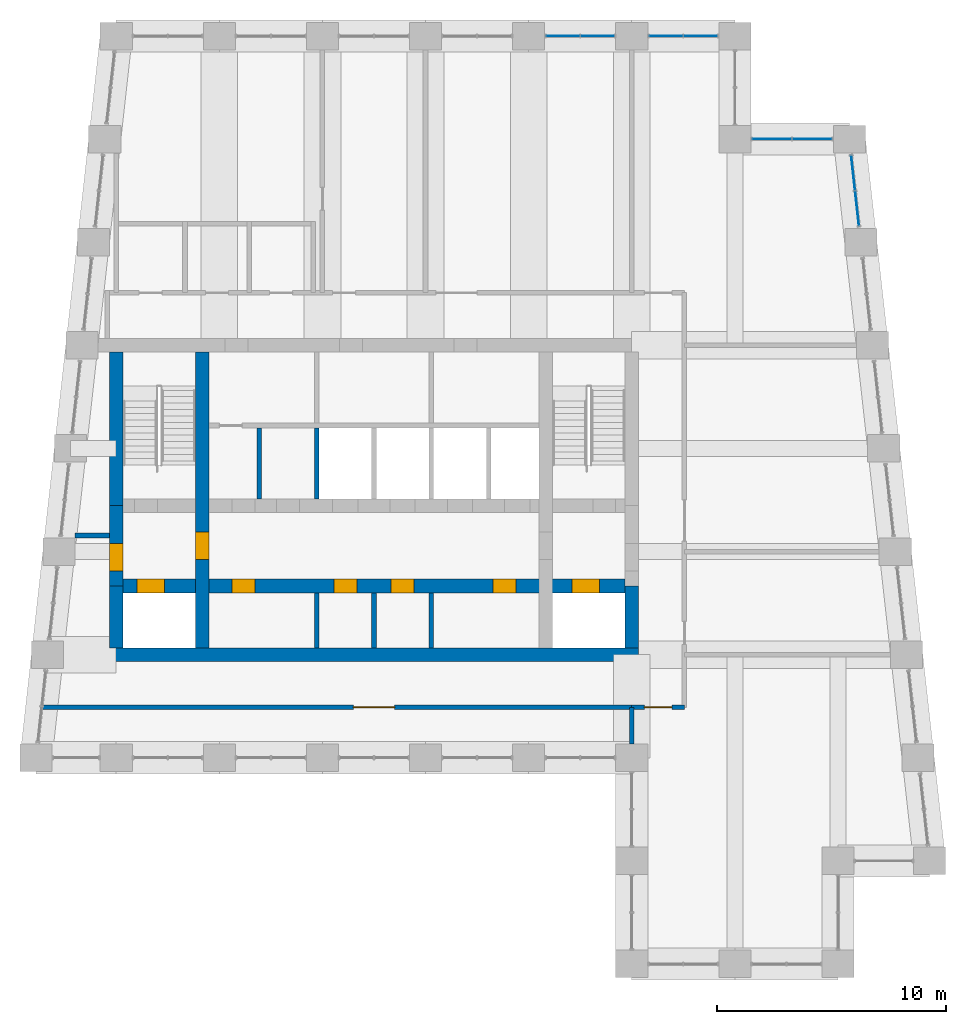
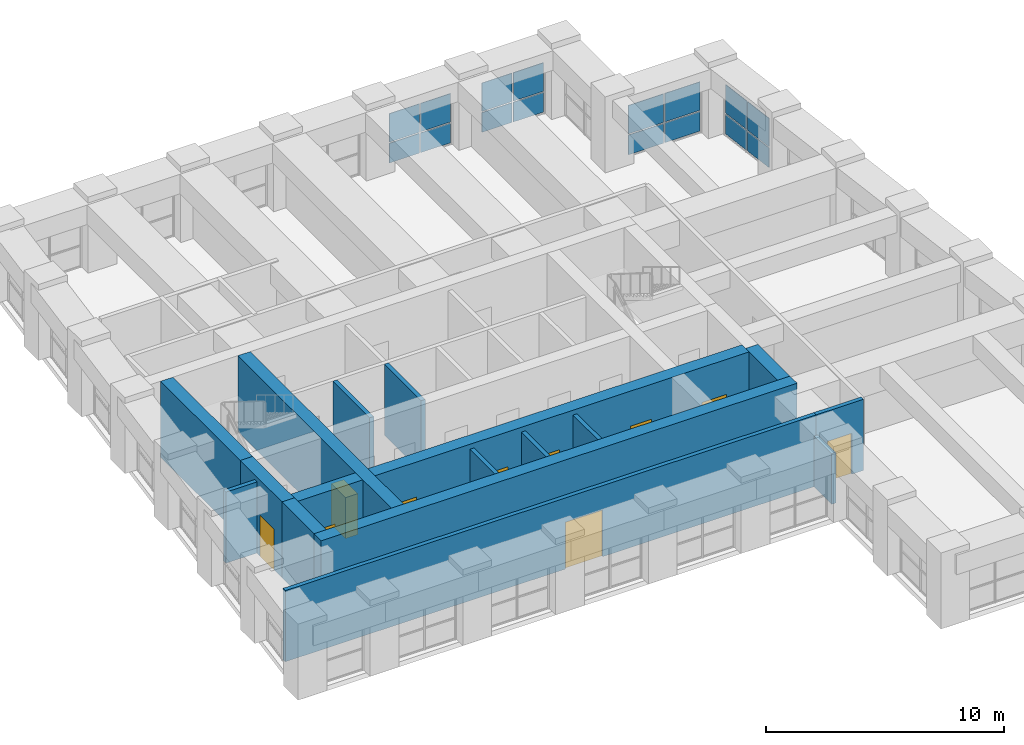
# One storey, part 12 of 15: 16 plates, 16 walls, 10 doors, 10 openings, 4 elements without a shape of their own.
"""IFC4 building model written with IfcOpenShell, lengths in metres."""

from ifc_helpers import new_model, si_unit, direction, frame, frame_2d, origin, origin_2d, place, context, subcontext, project, spatial, rectangle, extrude, material, layer, layer_set, type_object, element, fill, aggregate, save


model = new_model("IFC4")

# Units and contexts
model_context = context("Model", 3, precision=1e-05, world=origin(), true_north=direction((0.0, 1.0)))
body_context = subcontext(model_context, "Body", "Model", "MODEL_VIEW")
ifc_project = project(units=[si_unit("LENGTHUNIT", "METRE"), si_unit("AREAUNIT", "SQUARE_METRE"), si_unit("VOLUMEUNIT", "CUBIC_METRE"), si_unit("PLANEANGLEUNIT", "RADIAN"), si_unit("MASSUNIT", "GRAM", prefix="KILO")], contexts=[model_context])

# Site, building, storey
site_placement = place(None, origin())
site = spatial("IfcSite", under=ifc_project, at=site_placement, CompositionType="ELEMENT")
building_placement = place(site_placement, origin())
building = spatial("IfcBuilding", under=site, at=building_placement, Name="Kilele Tower Hotel", CompositionType="ELEMENT")
storey_placement = place(building_placement, frame((0.0, 0.0, 285.800048828125)))
storey = spatial("IfcBuildingStorey", under=building, at=storey_placement, Name="L73", CompositionType="ELEMENT", Elevation=285.800048828125)

# Curtain wall, plates
ifc_material_1 = material(Name="Aluminium curtain wall, clear double glazing", Category="aluminium")
curtain_wall_type = type_object("IfcCurtainWallType", Name="Sky bar curtain wall CW-6", PredefinedType="NOTDEFINED", material=ifc_material_1)
curtain_wall_1_placement = place(storey_placement, origin())
curtain_wall_1 = element("IfcCurtainWall", 1, at=curtain_wall_1_placement, inside=storey, type_object=curtain_wall_type, Name="Sky bar curtain wall CW-6 L73", PredefinedType="NOTDEFINED")
ifc_material_2 = material(Name="Clear double glazing", Category="glass")
ifc_layer_1 = layer(ifc_material_2, 0.028076171875)
ifc_layer_set_1 = layer_set([ifc_layer_1], Name="Clear double glazing")
plate_type = type_object("IfcPlateType", Name="Glazed panel 28 CW-6", PredefinedType="CURTAIN_PANEL", material=ifc_layer_set_1)
plate_1_placement = place(storey_placement, frame((45.836181640625, 32.974609375, 0.06005859375), z_axis=(0.0, 0.0, 1.0), x_axis=(-0.110431526007, 0.993883734681, 0.0)))
plate_1 = element("IfcPlate", 2, at=plate_1_placement, type_object=plate_type, Name="CW-6 panel 1.1", PredefinedType="CURTAIN_PANEL", context=body_context, shape_type="SweptSolid", body=[
    extrude(rectangle(XDim=1.500244140625, YDim=0.028076171875, at=origin_2d()), origin(), (0.0, 0.0, 1.0), 1.010009765625),
])
plate_2_placement = place(storey_placement, frame((45.836181640625, 32.974609375, 1.1298828125), z_axis=(0.0, 0.0, 1.0), x_axis=(-0.110431526007, 0.993883734681, 0.0)))
plate_2 = element("IfcPlate", 3, at=plate_2_placement, type_object=plate_type, Name="CW-6 panel 1.2", PredefinedType="CURTAIN_PANEL", context=body_context, shape_type="SweptSolid", body=[
    extrude(rectangle(XDim=1.500244140625, YDim=0.028076171875, at=origin_2d()), origin(), (0.0, 0.0, 1.0), 1.4599609375),
])
plate_3_placement = place(storey_placement, frame((45.663818359375, 34.525390625, 0.06005859375), z_axis=(0.0, 0.0, 1.0), x_axis=(-0.110431526007, 0.993883734681, 0.0)))
plate_3 = element("IfcPlate", 4, at=plate_3_placement, type_object=plate_type, Name="CW-6 panel 2.1", PredefinedType="CURTAIN_PANEL", context=body_context, shape_type="SweptSolid", body=[
    extrude(rectangle(XDim=1.500244140625, YDim=0.028076171875, at=origin_2d()), origin(), (0.0, 0.0, 1.0), 1.010009765625),
])
plate_4_placement = place(storey_placement, frame((45.663818359375, 34.525390625, 1.1298828125), z_axis=(0.0, 0.0, 1.0), x_axis=(-0.110431526007, 0.993883734681, 0.0)))
plate_4 = element("IfcPlate", 5, at=plate_4_placement, type_object=plate_type, Name="CW-6 panel 2.2", PredefinedType="CURTAIN_PANEL", context=body_context, shape_type="SweptSolid", body=[
    extrude(rectangle(XDim=1.500244140625, YDim=0.028076171875, at=origin_2d()), origin(), (0.0, 0.0, 1.0), 1.4599609375),
])
aggregate(curtain_wall_1, [plate_1, plate_2, plate_3, plate_4])

curtain_wall_2_placement = place(storey_placement, origin())
curtain_wall_2 = element("IfcCurtainWall", 6, at=curtain_wall_2_placement, inside=storey, type_object=curtain_wall_type, Name="Sky bar curtain wall CW-6 L73", PredefinedType="NOTDEFINED")
plate_5_placement = place(storey_placement, frame((43.885009765625, 36.0, 0.06005859375), z_axis=(0.0, 0.0, 1.0), x_axis=(-1.0, 0.0, 0.0)))
plate_5 = element("IfcPlate", 7, at=plate_5_placement, type_object=plate_type, Name="CW-6 panel 1.1", PredefinedType="CURTAIN_PANEL", context=body_context, shape_type="SweptSolid", body=[
    extrude(rectangle(XDim=1.7099609375, YDim=0.028076171875, at=origin_2d()), origin(), (0.0, 0.0, 1.0), 1.010009765625),
])
plate_6_placement = place(storey_placement, frame((43.885009765625, 36.0, 1.1298828125), z_axis=(0.0, 0.0, 1.0), x_axis=(-1.0, 0.0, 0.0)))
plate_6 = element("IfcPlate", 8, at=plate_6_placement, type_object=plate_type, Name="CW-6 panel 1.2", PredefinedType="CURTAIN_PANEL", context=body_context, shape_type="SweptSolid", body=[
    extrude(rectangle(XDim=1.7099609375, YDim=0.028076171875, at=origin_2d()), origin(), (0.0, 0.0, 1.0), 1.4599609375),
])
plate_7_placement = place(storey_placement, frame((42.114990234375, 36.0, 0.06005859375), z_axis=(0.0, 0.0, 1.0), x_axis=(-1.0, 0.0, 0.0)))
plate_7 = element("IfcPlate", 9, at=plate_7_placement, type_object=plate_type, Name="CW-6 panel 2.1", PredefinedType="CURTAIN_PANEL", context=body_context, shape_type="SweptSolid", body=[
    extrude(rectangle(XDim=1.7099609375, YDim=0.028076171875, at=origin_2d()), origin(), (0.0, 0.0, 1.0), 1.010009765625),
])
plate_8_placement = place(storey_placement, frame((42.114990234375, 36.0, 1.1298828125), z_axis=(0.0, 0.0, 1.0), x_axis=(-1.0, 0.0, 0.0)))
plate_8 = element("IfcPlate", 10, at=plate_8_placement, type_object=plate_type, Name="CW-6 panel 2.2", PredefinedType="CURTAIN_PANEL", context=body_context, shape_type="SweptSolid", body=[
    extrude(rectangle(XDim=1.7099609375, YDim=0.028076171875, at=origin_2d()), origin(), (0.0, 0.0, 1.0), 1.4599609375),
])
aggregate(curtain_wall_2, [plate_5, plate_6, plate_7, plate_8])

curtain_wall_3_placement = place(storey_placement, origin())
curtain_wall_3 = element("IfcCurtainWall", 11, at=curtain_wall_3_placement, inside=storey, type_object=curtain_wall_type, Name="Sky bar curtain wall CW-6 L73", PredefinedType="NOTDEFINED")
plate_9_placement = place(storey_placement, frame((39.010009765625, 40.5, 0.06005859375), z_axis=(0.0, 0.0, 1.0), x_axis=(-1.0, 0.0, 0.0)))
plate_9 = element("IfcPlate", 12, at=plate_9_placement, type_object=plate_type, Name="CW-6 panel 1.1", PredefinedType="CURTAIN_PANEL", context=body_context, shape_type="SweptSolid", body=[
    extrude(rectangle(XDim=1.4599609375, YDim=0.028076171875, at=origin_2d()), origin(), (0.0, 0.0, 1.0), 1.010009765625),
])
plate_10_placement = place(storey_placement, frame((39.010009765625, 40.5, 1.1298828125), z_axis=(0.0, 0.0, 1.0), x_axis=(-1.0, 0.0, 0.0)))
plate_10 = element("IfcPlate", 13, at=plate_10_placement, type_object=plate_type, Name="CW-6 panel 1.2", PredefinedType="CURTAIN_PANEL", context=body_context, shape_type="SweptSolid", body=[
    extrude(rectangle(XDim=1.4599609375, YDim=0.028076171875, at=origin_2d()), origin(), (0.0, 0.0, 1.0), 1.4599609375),
])
plate_11_placement = place(storey_placement, frame((37.489990234375, 40.5, 0.06005859375), z_axis=(0.0, 0.0, 1.0), x_axis=(-1.0, 0.0, 0.0)))
plate_11 = element("IfcPlate", 14, at=plate_11_placement, type_object=plate_type, Name="CW-6 panel 2.1", PredefinedType="CURTAIN_PANEL", context=body_context, shape_type="SweptSolid", body=[
    extrude(rectangle(XDim=1.4599609375, YDim=0.028076171875, at=origin_2d()), origin(), (0.0, 0.0, 1.0), 1.010009765625),
])
plate_12_placement = place(storey_placement, frame((37.489990234375, 40.5, 1.1298828125), z_axis=(0.0, 0.0, 1.0), x_axis=(-1.0, 0.0, 0.0)))
plate_12 = element("IfcPlate", 15, at=plate_12_placement, type_object=plate_type, Name="CW-6 panel 2.2", PredefinedType="CURTAIN_PANEL", context=body_context, shape_type="SweptSolid", body=[
    extrude(rectangle(XDim=1.4599609375, YDim=0.028076171875, at=origin_2d()), origin(), (0.0, 0.0, 1.0), 1.4599609375),
])
aggregate(curtain_wall_3, [plate_9, plate_10, plate_11, plate_12])

curtain_wall_4_placement = place(storey_placement, origin())
curtain_wall_4 = element("IfcCurtainWall", 16, at=curtain_wall_4_placement, inside=storey, type_object=curtain_wall_type, Name="Sky bar curtain wall CW-6 L73", PredefinedType="NOTDEFINED")
plate_13_placement = place(storey_placement, frame((34.510009765625, 40.5, 0.06005859375), z_axis=(0.0, 0.0, 1.0), x_axis=(-1.0, 0.0, 0.0)))
plate_13 = element("IfcPlate", 17, at=plate_13_placement, type_object=plate_type, Name="CW-6 panel 1.1", PredefinedType="CURTAIN_PANEL", context=body_context, shape_type="SweptSolid", body=[
    extrude(rectangle(XDim=1.4599609375, YDim=0.028076171875, at=origin_2d()), origin(), (0.0, 0.0, 1.0), 1.010009765625),
])
plate_14_placement = place(storey_placement, frame((34.510009765625, 40.5, 1.1298828125), z_axis=(0.0, 0.0, 1.0), x_axis=(-1.0, 0.0, 0.0)))
plate_14 = element("IfcPlate", 18, at=plate_14_placement, type_object=plate_type, Name="CW-6 panel 1.2", PredefinedType="CURTAIN_PANEL", context=body_context, shape_type="SweptSolid", body=[
    extrude(rectangle(XDim=1.4599609375, YDim=0.028076171875, at=origin_2d()), origin(), (0.0, 0.0, 1.0), 1.4599609375),
])
plate_15_placement = place(storey_placement, frame((32.989990234375, 40.5, 0.06005859375), z_axis=(0.0, 0.0, 1.0), x_axis=(-1.0, 0.0, 0.0)))
plate_15 = element("IfcPlate", 19, at=plate_15_placement, type_object=plate_type, Name="CW-6 panel 2.1", PredefinedType="CURTAIN_PANEL", context=body_context, shape_type="SweptSolid", body=[
    extrude(rectangle(XDim=1.4599609375, YDim=0.028076171875, at=origin_2d()), origin(), (0.0, 0.0, 1.0), 1.010009765625),
])
plate_16_placement = place(storey_placement, frame((32.989990234375, 40.5, 1.1298828125), z_axis=(0.0, 0.0, 1.0), x_axis=(-1.0, 0.0, 0.0)))
plate_16 = element("IfcPlate", 20, at=plate_16_placement, type_object=plate_type, Name="CW-6 panel 2.2", PredefinedType="CURTAIN_PANEL", context=body_context, shape_type="SweptSolid", body=[
    extrude(rectangle(XDim=1.4599609375, YDim=0.028076171875, at=origin_2d()), origin(), (0.0, 0.0, 1.0), 1.4599609375),
])
aggregate(curtain_wall_4, [plate_13, plate_14, plate_15, plate_16])

# Wall
ifc_material_3 = material(Name="Concrete C60/75", Category="concrete")
ifc_layer_2 = layer(ifc_material_3, 0.60009765625)
ifc_layer_set_2 = layer_set([ifc_layer_2], Name="Concrete C60/75")
wall_type_1 = type_object("IfcWallType", Name="Core wall 600 C60/75", PredefinedType="SHEAR", material=ifc_layer_set_2)
wall_1_placement = place(storey_placement, frame((13.199951171875, 13.5, 0.0), z_axis=(0.0, 0.0, 1.0), x_axis=(1.0, 0.0, 0.0)))
element("IfcWall", 21, at=wall_1_placement, inside=storey, type_object=wall_type_1, Name="Core wall S L73", PredefinedType="SHEAR", context=body_context, shape_type="SweptSolid", body=[
    extrude(rectangle(XDim=23.10009765625, YDim=0.60009765625, at=frame_2d((11.550048828125, 0.0))), origin(), (0.0, 0.0, 1.0), 3.89990234375),
])

# Wall, opening, door
wall_2_placement = place(storey_placement, frame((17.25, 13.800048828125, 0.0), z_axis=(0.0, 0.0, 1.0), x_axis=(0.0, 1.0, 0.0)))
wall_2 = element("IfcWall", 22, at=wall_2_placement, inside=storey, type_object=wall_type_1, Name="Core wall IW L73", PredefinedType="SHEAR", context=body_context, shape_type="SweptSolid", body=[
    extrude(rectangle(XDim=12.89990234375, YDim=0.60009765625, at=frame_2d((6.449951171875, 0.0))), origin(), (0.0, 0.0, 1.0), 3.89990234375),
])
opening_1_placement = place(wall_2_placement, frame((3.85009765625, 0.0, 0.0)))
opening_1 = element("IfcOpeningElement", 23, at=opening_1_placement, cuts=wall_2, Name="Opening D4", PredefinedType="OPENING", context=body_context, shape_type="SweptSolid", body=[
    extrude(rectangle(XDim=1.199951171875, YDim=2.10009765625, at=frame_2d((0.60009765625, 1.050048828125))), frame((0.0, 0.31005859375, 0.0), z_axis=(0.0, -1.0, 0.0), x_axis=(1.0, 0.0, 0.0)), (0.0, 0.0, 1.0), 0.6201171875),
])
ifc_material_4 = material(Name="Timber door leaf in hardwood frame", Category="wood")
door_type_1 = type_object("IfcDoorType", Name="Firefighting lobby door 1200", OperationType="SINGLE_SWING_LEFT", PredefinedType="DOOR", material=ifc_material_4)
door_1_placement = place(opening_1_placement, origin())
door_1 = element("IfcDoor", 24, at=door_1_placement, inside=storey, type_object=door_type_1, Name="Lobby door L73", OperationType="SINGLE_SWING_LEFT", OverallHeight=2.10009765625, OverallWidth=1.199951171875, PredefinedType="DOOR", context=body_context, shape_type="SweptSolid", body=[
    extrude(rectangle(XDim=1.199951171875, YDim=2.10009765625, at=frame_2d((0.60009765625, 1.050048828125))), frame((0.0, 0.2998046875, 0.0), z_axis=(0.0, -1.0, 0.0), x_axis=(1.0, 0.0, 0.0)), (0.0, 0.0, 1.0), 0.599609375),
])
fill(opening_1, door_1)

# Wall, openings, doors
wall_3_placement = place(storey_placement, frame((13.800048828125, 16.5, 0.0), z_axis=(0.0, 0.0, 1.0), x_axis=(1.0, 0.0, 0.0)))
wall_3 = element("IfcWall", 25, at=wall_3_placement, inside=storey, type_object=wall_type_1, Name="Core wall LS L73", PredefinedType="SHEAR", context=body_context, shape_type="SweptSolid", body=[
    extrude(rectangle(XDim=21.89990234375, YDim=0.60009765625, at=frame_2d((10.949951171875, 0.0))), origin(), (0.0, 0.0, 1.0), 3.89990234375),
])
opening_2_placement = place(wall_3_placement, frame((5.75, 0.0, 0.0), z_axis=(0.0, 0.0, 1.0), x_axis=(-1.0, 0.0, 0.0)))
opening_2 = element("IfcOpeningElement", 26, at=opening_2_placement, cuts=wall_3, Name="Opening D11", PredefinedType="OPENING", context=body_context, shape_type="SweptSolid", body=[
    extrude(rectangle(XDim=1.0, YDim=2.10009765625, at=frame_2d((0.5, 1.050048828125))), frame((0.0, 0.31005859375, 0.0), z_axis=(0.0, -1.0, 0.0), x_axis=(1.0, 0.0, 0.0)), (0.0, 0.0, 1.0), 0.6201171875),
])
opening_3_placement = place(wall_3_placement, frame((10.199951171875, 0.0, 0.0), z_axis=(0.0, 0.0, 1.0), x_axis=(-1.0, 0.0, 0.0)))
opening_3 = element("IfcOpeningElement", 27, at=opening_3_placement, cuts=wall_3, Name="Opening D11", PredefinedType="OPENING", context=body_context, shape_type="SweptSolid", body=[
    extrude(rectangle(XDim=1.0, YDim=2.10009765625, at=frame_2d((0.5, 1.050048828125))), frame((0.0, 0.31005859375, 0.0), z_axis=(0.0, -1.0, 0.0), x_axis=(1.0, 0.0, 0.0)), (0.0, 0.0, 1.0), 0.6201171875),
])
opening_4_placement = place(wall_3_placement, frame((12.699951171875, 0.0, 0.0), z_axis=(0.0, 0.0, 1.0), x_axis=(-1.0, 0.0, 0.0)))
opening_4 = element("IfcOpeningElement", 28, at=opening_4_placement, cuts=wall_3, Name="Opening D11", PredefinedType="OPENING", context=body_context, shape_type="SweptSolid", body=[
    extrude(rectangle(XDim=1.0, YDim=2.10009765625, at=frame_2d((0.5, 1.050048828125))), frame((0.0, 0.31005859375, 0.0), z_axis=(0.0, -1.0, 0.0), x_axis=(1.0, 0.0, 0.0)), (0.0, 0.0, 1.0), 0.6201171875),
])
opening_5_placement = place(wall_3_placement, frame((17.14990234375, 0.0, 0.0), z_axis=(0.0, 0.0, 1.0), x_axis=(-1.0, 0.0, 0.0)))
opening_5 = element("IfcOpeningElement", 29, at=opening_5_placement, cuts=wall_3, Name="Opening D11", PredefinedType="OPENING", context=body_context, shape_type="SweptSolid", body=[
    extrude(rectangle(XDim=1.0, YDim=2.10009765625, at=frame_2d((0.5, 1.050048828125))), frame((0.0, 0.31005859375, 0.0), z_axis=(0.0, -1.0, 0.0), x_axis=(1.0, 0.0, 0.0)), (0.0, 0.0, 1.0), 0.6201171875),
])
opening_6_placement = place(wall_3_placement, frame((0.60009765625, 0.0, 0.0)))
opening_6 = element("IfcOpeningElement", 30, at=opening_6_placement, cuts=wall_3, Name="Opening LD2", PredefinedType="OPENING", context=body_context, shape_type="SweptSolid", body=[
    extrude(rectangle(XDim=1.199951171875, YDim=2.10009765625, at=frame_2d((0.60009765625, 1.050048828125))), frame((0.0, 0.31005859375, 0.0), z_axis=(0.0, -1.0, 0.0), x_axis=(1.0, 0.0, 0.0)), (0.0, 0.0, 1.0), 0.6201171875),
])
opening_7_placement = place(wall_3_placement, frame((19.60009765625, 0.0, 0.0)))
opening_7 = element("IfcOpeningElement", 31, at=opening_7_placement, cuts=wall_3, Name="Opening LD2", PredefinedType="OPENING", context=body_context, shape_type="SweptSolid", body=[
    extrude(rectangle(XDim=1.199951171875, YDim=2.10009765625, at=frame_2d((0.60009765625, 1.050048828125))), frame((0.0, 0.31005859375, 0.0), z_axis=(0.0, -1.0, 0.0), x_axis=(1.0, 0.0, 0.0)), (0.0, 0.0, 1.0), 0.6201171875),
])
ifc_material_5 = material(Name="Timber door leaf in hardwood frame", Category="wood")
door_type_2 = type_object("IfcDoorType", Name="Core store door 1000", OperationType="SINGLE_SWING_LEFT", PredefinedType="DOOR", material=ifc_material_5)
door_2_placement = place(opening_2_placement, origin())
door_2 = element("IfcDoor", 32, at=door_2_placement, inside=storey, type_object=door_type_2, Name="Core room door L1 L73", OperationType="SINGLE_SWING_RIGHT", OverallHeight=2.10009765625, OverallWidth=1.0, PredefinedType="DOOR", context=body_context, shape_type="SweptSolid", body=[
    extrude(rectangle(XDim=1.0, YDim=2.10009765625, at=frame_2d((0.5, 1.050048828125))), frame((0.0, 0.2998046875, 0.0), z_axis=(0.0, -1.0, 0.0), x_axis=(1.0, 0.0, 0.0)), (0.0, 0.0, 1.0), 0.599609375),
])
fill(opening_2, door_2)
door_3_placement = place(opening_3_placement, origin())
door_3 = element("IfcDoor", 33, at=door_3_placement, inside=storey, type_object=door_type_2, Name="Core room door L3 L73", OperationType="SINGLE_SWING_RIGHT", OverallHeight=2.10009765625, OverallWidth=1.0, PredefinedType="DOOR", context=body_context, shape_type="SweptSolid", body=[
    extrude(rectangle(XDim=1.0, YDim=2.10009765625, at=frame_2d((0.5, 1.050048828125))), frame((0.0, 0.2998046875, 0.0), z_axis=(0.0, -1.0, 0.0), x_axis=(1.0, 0.0, 0.0)), (0.0, 0.0, 1.0), 0.599609375),
])
fill(opening_3, door_3)
door_4_placement = place(opening_4_placement, origin())
door_4 = element("IfcDoor", 34, at=door_4_placement, inside=storey, type_object=door_type_2, Name="Core room door M1 L73", OperationType="SINGLE_SWING_LEFT", OverallHeight=2.10009765625, OverallWidth=1.0, PredefinedType="DOOR", context=body_context, shape_type="SweptSolid", body=[
    extrude(rectangle(XDim=1.0, YDim=2.10009765625, at=frame_2d((0.5, 1.050048828125))), frame((0.0, 0.2998046875, 0.0), z_axis=(0.0, -1.0, 0.0), x_axis=(1.0, 0.0, 0.0)), (0.0, 0.0, 1.0), 0.599609375),
])
fill(opening_4, door_4)
door_5_placement = place(opening_5_placement, origin())
door_5 = element("IfcDoor", 35, at=door_5_placement, inside=storey, type_object=door_type_2, Name="Core room door M3 L73", OperationType="SINGLE_SWING_LEFT", OverallHeight=2.10009765625, OverallWidth=1.0, PredefinedType="DOOR", context=body_context, shape_type="SweptSolid", body=[
    extrude(rectangle(XDim=1.0, YDim=2.10009765625, at=frame_2d((0.5, 1.050048828125))), frame((0.0, 0.2998046875, 0.0), z_axis=(0.0, -1.0, 0.0), x_axis=(1.0, 0.0, 0.0)), (0.0, 0.0, 1.0), 0.599609375),
])
fill(opening_5, door_5)
ifc_material_6 = material(Name="Steel lift landing door", Category="steel")
door_type_3 = type_object("IfcDoorType", Name="Firefighting lift landing door 1200", OperationType="SLIDING_TO_LEFT", PredefinedType="DOOR", material=ifc_material_6)
door_6_placement = place(opening_6_placement, origin())
door_6 = element("IfcDoor", 36, at=door_6_placement, inside=storey, type_object=door_type_3, Name="Landing door FFW L73", OperationType="SLIDING_TO_LEFT", OverallHeight=2.10009765625, OverallWidth=1.199951171875, PredefinedType="DOOR", context=body_context, shape_type="SweptSolid", body=[
    extrude(rectangle(XDim=1.199951171875, YDim=2.10009765625, at=frame_2d((0.60009765625, 1.050048828125))), frame((0.0, 0.2998046875, 0.0), z_axis=(0.0, -1.0, 0.0), x_axis=(1.0, 0.0, 0.0)), (0.0, 0.0, 1.0), 0.599609375),
])
fill(opening_6, door_6)
door_7_placement = place(opening_7_placement, origin())
door_7 = element("IfcDoor", 37, at=door_7_placement, inside=storey, type_object=door_type_3, Name="Landing door FFE L73", OperationType="SLIDING_TO_LEFT", OverallHeight=2.10009765625, OverallWidth=1.199951171875, PredefinedType="DOOR", context=body_context, shape_type="SweptSolid", body=[
    extrude(rectangle(XDim=1.199951171875, YDim=2.10009765625, at=frame_2d((0.60009765625, 1.050048828125))), frame((0.0, 0.2998046875, 0.0), z_axis=(0.0, -1.0, 0.0), x_axis=(1.0, 0.0, 0.0)), (0.0, 0.0, 1.0), 0.599609375),
])
fill(opening_7, door_7)

# Wall
wall_4_placement = place(storey_placement, frame((13.5, 26.699951171875, 0.0), z_axis=(0.0, 0.0, 1.0), x_axis=(0.0, -1.0, 0.0)))
element("IfcWall", 38, at=wall_4_placement, inside=storey, type_object=wall_type_1, Name="Core wall W1 L73", PredefinedType="SHEAR", context=body_context, shape_type="SweptSolid", body=[
    extrude(rectangle(XDim=6.699951171875, YDim=0.60009765625, at=frame_2d((3.35009765625, 0.0))), origin(), (0.0, 0.0, 1.0), 3.89990234375),
])

# Wall, opening, door
wall_5_placement = place(storey_placement, frame((13.5, 20.0, 0.0), z_axis=(0.0, 0.0, 1.0), x_axis=(0.0, -1.0, 0.0)))
wall_5 = element("IfcWall", 39, at=wall_5_placement, inside=storey, type_object=wall_type_1, Name="Core wall W2 L73", PredefinedType="SHEAR", context=body_context, shape_type="SweptSolid", body=[
    extrude(rectangle(XDim=3.5, YDim=0.60009765625, at=frame_2d((1.75, 0.0))), origin(), (0.0, 0.0, 1.0), 3.89990234375),
])
opening_8_placement = place(wall_5_placement, frame((1.64990234375, 0.0, 0.0)))
opening_8 = element("IfcOpeningElement", 40, at=opening_8_placement, cuts=wall_5, Name="Opening D4", PredefinedType="OPENING", context=body_context, shape_type="SweptSolid", body=[
    extrude(rectangle(XDim=1.199951171875, YDim=2.10009765625, at=frame_2d((0.60009765625, 1.050048828125))), frame((0.0, 0.31005859375, 0.0), z_axis=(0.0, -1.0, 0.0), x_axis=(1.0, 0.0, 0.0)), (0.0, 0.0, 1.0), 0.6201171875),
])
door_8_placement = place(opening_8_placement, origin())
door_8 = element("IfcDoor", 41, at=door_8_placement, inside=storey, type_object=door_type_1, Name="Lobby door L73", OperationType="SINGLE_SWING_RIGHT", OverallHeight=2.10009765625, OverallWidth=1.199951171875, PredefinedType="DOOR", context=body_context, shape_type="SweptSolid", body=[
    extrude(rectangle(XDim=1.199951171875, YDim=2.10009765625, at=frame_2d((0.60009765625, 1.050048828125))), frame((0.0, 0.2998046875, 0.0), z_axis=(0.0, -1.0, 0.0), x_axis=(1.0, 0.0, 0.0)), (0.0, 0.0, 1.0), 0.599609375),
])
fill(opening_8, door_8)

# Walls
for number, where, z_axis, x_axis, name in (
    (42, (13.5, 16.5, 0.0), (0.0, 0.0, 1.0), (0.0, -1.0, 0.0), "Core wall W3 L73"),
    (43, (36.0, 13.800048828125, 0.0), (0.0, 0.0, 1.0), (0.0, 1.0, 0.0), "Core wall E1 L73"),
):
    element("IfcWall", number, at=place(storey_placement, frame(where, z_axis=z_axis, x_axis=x_axis)), inside=storey, type_object=wall_type_1, Name=name, PredefinedType="SHEAR", context=body_context, shape_type="SweptSolid", body=[
        extrude(rectangle(XDim=2.699951171875, YDim=0.60009765625, at=frame_2d((1.35009765625, 0.0))), origin(), (0.0, 0.0, 1.0), 3.89990234375),
    ])

# Wall, opening, door
ifc_material_7 = material(Name="Blockwork, plastered both sides", Category="masonry")
ifc_layer_3 = layer(ifc_material_7, 0.199951171875)
ifc_layer_set_3 = layer_set([ifc_layer_3], Name="Blockwork, plastered both sides")
wall_type_2 = type_object("IfcWallType", Name="Corridor wall 200", PredefinedType="PARTITIONING", material=ifc_layer_set_3)
wall_6_placement = place(storey_placement, frame((36.0, 11.199951171875, 0.0), z_axis=(0.0, 0.0, 1.0), x_axis=(1.0, 0.0, 0.0)))
wall_6 = element("IfcWall", 44, at=wall_6_placement, inside=storey, type_object=wall_type_2, Name="Corridor wall 200 L73", PredefinedType="PARTITIONING", context=body_context, shape_type="SweptSolid", body=[
    extrude(rectangle(XDim=2.300048828125, YDim=0.199951171875, at=frame_2d((1.14990234375, 0.0))), origin(), (0.0, 0.0, 1.0), 3.64990234375),
])
opening_9_placement = place(wall_6_placement, frame((0.550048828125, 0.0, 0.0)))
opening_9 = element("IfcOpeningElement", 45, at=opening_9_placement, cuts=wall_6, Name="Opening D8A", PredefinedType="OPENING", context=body_context, shape_type="SweptSolid", body=[
    extrude(rectangle(XDim=1.199951171875, YDim=2.10009765625, at=frame_2d((0.60009765625, 1.050048828125))), frame((0.0, 0.10986328125, 0.0), z_axis=(0.0, -1.0, 0.0), x_axis=(1.0, 0.0, 0.0)), (0.0, 0.0, 1.0), 0.219970703125),
])
ifc_material_8 = material(Name="Timber door leaf in hardwood frame", Category="wood")
door_type_4 = type_object("IfcDoorType", Name="Door 1200", OperationType="SINGLE_SWING_LEFT", PredefinedType="DOOR", material=ifc_material_8)
door_9_placement = place(opening_9_placement, origin())
door_9 = element("IfcDoor", 46, at=door_9_placement, inside=storey, type_object=door_type_4, Name="Door Sky bar terrace lounge 7309", OperationType="SINGLE_SWING_RIGHT", OverallHeight=2.10009765625, OverallWidth=1.199951171875, PredefinedType="DOOR", context=body_context, shape_type="SweptSolid", body=[
    extrude(rectangle(XDim=1.199951171875, YDim=2.10009765625, at=frame_2d((0.60009765625, 1.050048828125))), frame((0.0, 0.02490234375, 0.0), z_axis=(0.0, -1.0, 0.0), x_axis=(1.0, 0.0, 0.0)), (0.0, 0.0, 1.0), 0.050048828125),
])
fill(opening_9, door_9)

# Walls
ifc_material_9 = material(Name="Blockwork, plastered both sides", Category="masonry")
ifc_layer_4 = layer(ifc_material_9, 0.199951171875)
ifc_layer_set_4 = layer_set([ifc_layer_4], Name="Blockwork, plastered both sides")
wall_type_3 = type_object("IfcWallType", Name="Partition wall 200", PredefinedType="PARTITIONING", material=ifc_layer_set_4)
wall_7_placement = place(storey_placement, frame((36.0, 11.199951171875, 0.0), z_axis=(0.0, 0.0, 1.0), x_axis=(0.0, -1.0, 0.0)))
element("IfcWall", 47, at=wall_7_placement, inside=storey, type_object=wall_type_3, Name="Partition wall 200 L73", PredefinedType="PARTITIONING", context=body_context, shape_type="SweptSolid", body=[
    extrude(rectangle(XDim=1.58984375, YDim=0.199951171875, at=frame_2d((0.794921875, 0.0))), origin(), (0.0, 0.0, 1.0), 2.599853515625),
])
wall_8_placement = place(storey_placement, frame((13.199951171875, 18.699951171875, 0.0), z_axis=(0.0, 0.0, 1.0), x_axis=(-1.0, 0.0, 0.0)))
element("IfcWall", 48, at=wall_8_placement, inside=storey, type_object=wall_type_3, Name="Partition wall 200 L73", PredefinedType="PARTITIONING", context=body_context, shape_type="SweptSolid", body=[
    extrude(rectangle(XDim=1.5, YDim=0.199951171875, at=frame_2d((0.75, 0.0))), origin(), (0.0, 0.0, 1.0), 3.64990234375),
])

# Wall, opening, door
wall_9_placement = place(storey_placement, frame((10.244384765625, 11.199951171875, 0.0), z_axis=(0.0, 0.0, 1.0), x_axis=(1.0, 0.0, 0.0)))
wall_9 = element("IfcWall", 49, at=wall_9_placement, inside=storey, type_object=wall_type_3, Name="Partition wall 200 L73", PredefinedType="PARTITIONING", context=body_context, shape_type="SweptSolid", body=[
    extrude(rectangle(XDim=25.755615234375, YDim=0.199951171875, at=frame_2d((12.8779296875, 0.0))), origin(), (0.0, 0.0, 1.0), 3.64990234375),
])
opening_10_placement = place(wall_9_placement, frame((15.40576171875, 0.0, 0.0), z_axis=(0.0, 0.0, 1.0), x_axis=(-1.0, 0.0, 0.0)))
opening_10 = element("IfcOpeningElement", 50, at=opening_10_placement, cuts=wall_9, Name="Opening D9", PredefinedType="OPENING", context=body_context, shape_type="SweptSolid", body=[
    extrude(rectangle(XDim=1.800048828125, YDim=2.39990234375, at=frame_2d((0.89990234375, 1.199951171875))), frame((0.0, 0.10986328125, 0.0), z_axis=(0.0, -1.0, 0.0), x_axis=(1.0, 0.0, 0.0)), (0.0, 0.0, 1.0), 0.219970703125),
])
ifc_material_10 = material(Name="Timber door leaf in hardwood frame", Category="wood")
door_type_5 = type_object("IfcDoorType", Name="Double door 1800", OperationType="DOUBLE_DOOR_SINGLE_SWING", PredefinedType="DOOR", material=ifc_material_10)
door_10_placement = place(opening_10_placement, origin())
door_10 = element("IfcDoor", 51, at=door_10_placement, inside=storey, type_object=door_type_5, Name="Door Park view window bar", OperationType="DOUBLE_DOOR_SINGLE_SWING", OverallHeight=2.39990234375, OverallWidth=1.800048828125, PredefinedType="DOOR", context=body_context, shape_type="SweptSolid", body=[
    extrude(rectangle(XDim=1.800048828125, YDim=2.39990234375, at=frame_2d((0.89990234375, 1.199951171875))), frame((0.0, 0.02490234375, 0.0), z_axis=(0.0, -1.0, 0.0), x_axis=(1.0, 0.0, 0.0)), (0.0, 0.0, 1.0), 0.050048828125),
])
fill(opening_10, door_10)

# Walls
ifc_material_11 = material(Name="Blockwork, fire-rated", Category="masonry")
ifc_layer_5 = layer(ifc_material_11, 0.199951171875)
ifc_layer_set_5 = layer_set([ifc_layer_5], Name="Blockwork, fire-rated")
wall_type_4 = type_object("IfcWallType", Name="Shaft wall 200", PredefinedType="PARTITIONING", material=ifc_layer_set_5)
wall_10_placement = place(storey_placement, frame((19.75, 20.300048828125, 0.0), z_axis=(0.0, 0.0, 1.0), x_axis=(0.0, 1.0, 0.0)))
element("IfcWall", 52, at=wall_10_placement, inside=storey, type_object=wall_type_4, Name="Shaft wall 200 L73", PredefinedType="PARTITIONING", context=body_context, shape_type="SweptSolid", body=[
    extrude(rectangle(XDim=3.099853515625, YDim=0.199951171875, at=frame_2d((1.5498046875, 0.0))), origin(), (0.0, 0.0, 1.0), 3.64990234375),
])
wall_11_placement = place(storey_placement, frame((22.25, 13.800048828125, 0.0), z_axis=(0.0, 0.0, 1.0), x_axis=(0.0, 1.0, 0.0)))
element("IfcWall", 53, at=wall_11_placement, inside=storey, type_object=wall_type_4, Name="Shaft wall 200 L73", PredefinedType="PARTITIONING", context=body_context, shape_type="SweptSolid", body=[
    extrude(rectangle(XDim=2.39990234375, YDim=0.199951171875, at=frame_2d((1.199951171875, 0.0))), origin(), (0.0, 0.0, 1.0), 3.64990234375),
])
wall_12_placement = place(storey_placement, frame((22.25, 20.300048828125, 0.0), z_axis=(0.0, 0.0, 1.0), x_axis=(0.0, 1.0, 0.0)))
element("IfcWall", 54, at=wall_12_placement, inside=storey, type_object=wall_type_4, Name="Shaft wall 200 L73", PredefinedType="PARTITIONING", context=body_context, shape_type="SweptSolid", body=[
    extrude(rectangle(XDim=3.099853515625, YDim=0.199951171875, at=frame_2d((1.5498046875, 0.0))), origin(), (0.0, 0.0, 1.0), 3.64990234375),
])
for number, where, z_axis, x_axis, name in (
    (55, (24.75, 13.800048828125, 0.0), (0.0, 0.0, 1.0), (0.0, 1.0, 0.0), "Shaft wall 200 L73"),
    (56, (27.25, 13.800048828125, 0.0), (0.0, 0.0, 1.0), (0.0, 1.0, 0.0), "Shaft wall 200 L73"),
):
    element("IfcWall", number, at=place(storey_placement, frame(where, z_axis=z_axis, x_axis=x_axis)), inside=storey, type_object=wall_type_4, Name=name, PredefinedType="PARTITIONING", context=body_context, shape_type="SweptSolid", body=[
        extrude(rectangle(XDim=2.39990234375, YDim=0.199951171875, at=frame_2d((1.199951171875, 0.0))), origin(), (0.0, 0.0, 1.0), 3.64990234375),
    ])

save(model, "model.ifc")
